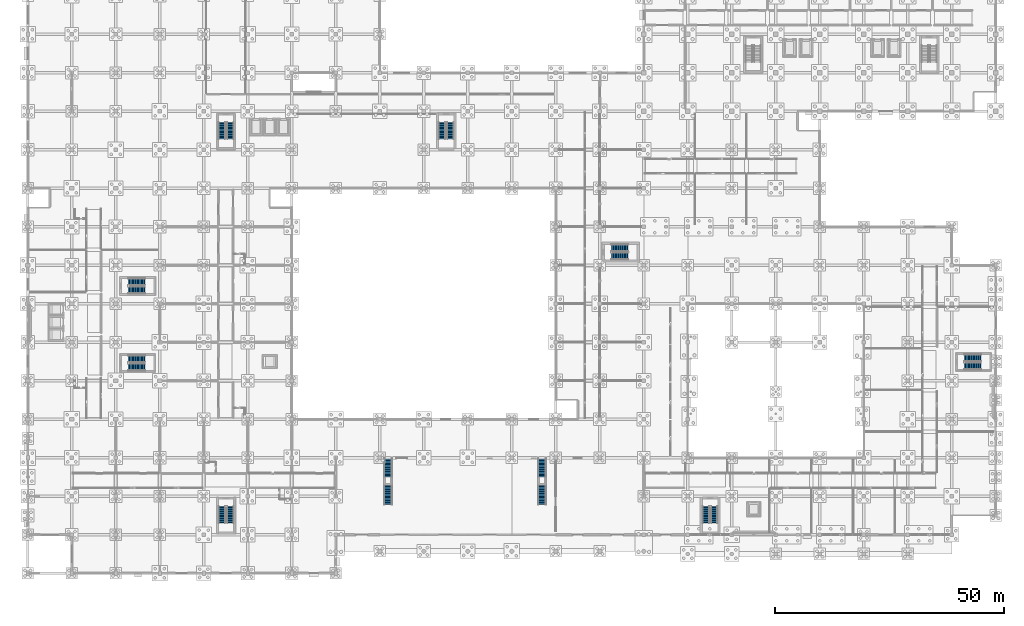
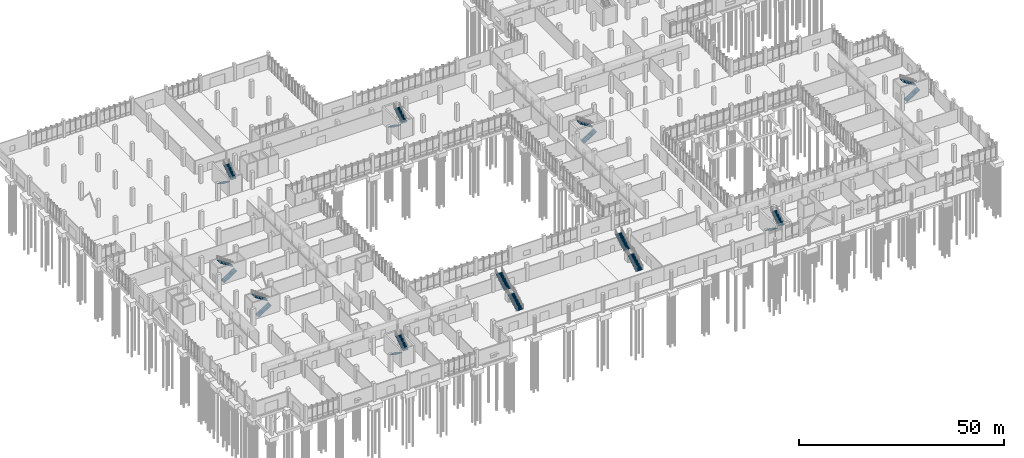
# One storey, part 120 of 136: 20 stair flights, 10 elements without a shape of their own.
"""IFC4 building model written with IfcOpenShell, lengths in metres."""

import ifcopenshell
import ifcopenshell.guid

model = None  # the IFC model being written
_history = None  # IfcOwnerHistory: only IFC2X3 demands one
_inside = {}  # id of a spatial element -> (the spatial element, [elements in it])
_under = {}  # id of a project, library or spatial element -> (it, [spatial elements below it])
_declared = {}  # id of a project -> (the project, [libraries it declares])
_typed = {}  # id of a type object -> (the type object, [elements of that type])
_made_of = {}  # id of a material, layer set ... -> (it, [elements and type objects made of it])


def new_model(schema):
    """Start an empty IFC model of exactly this schema.

    Asked for "IFC4X3", IfcOpenShell would pick the latest addendum, in which some entities
    have other attributes; the version numbers below select the first issue.
    IFC2X3 requires an IfcOwnerHistory on every rooted entity: one is made here for all.
    """
    global model, _history
    if schema == "IFC4X3":
        model = ifcopenshell.file(schema_version=(4, 3, 0, 0))
    else:
        model = ifcopenshell.file(schema=schema)
    _inside.clear()
    _under.clear()
    _declared.clear()
    _typed.clear()
    _made_of.clear()
    _history = None
    if model.schema == "IFC2X3":
        org = make("IfcOrganization", Name="unknown")
        user = make(
            "IfcPersonAndOrganization",
            ThePerson=make("IfcPerson", FamilyName="unknown"),
            TheOrganization=org,
        )
        app = make(
            "IfcApplication",
            ApplicationDeveloper=org,
            Version="unknown",
            ApplicationFullName="unknown",
            ApplicationIdentifier="unknown",
        )
        _history = make(
            "IfcOwnerHistory",
            OwningUser=user,
            OwningApplication=app,
            ChangeAction="ADDED",
            CreationDate=0,
        )
    return model


def make(cls, **values):
    """One entity of the class cls with the attributes given. An attribute that is None is left unset."""
    return model.create_entity(
        cls, **{name: value for name, value in values.items() if value is not None}
    )


def rooted(cls, **values):
    """An entity with a GlobalId (a new one), such as an element, a storey or a relation."""
    return make(cls, GlobalId=ifcopenshell.guid.new(), OwnerHistory=_history, **values)


def si_unit(unit_type, name, prefix=None):
    """IfcSIUnit, for example si_unit("LENGTHUNIT", "METRE", prefix="MILLI")."""
    return make("IfcSIUnit", UnitType=unit_type, Prefix=prefix, Name=name)


def assignment(units):
    """IfcUnitAssignment: the units of a project."""
    return None if units is None else make("IfcUnitAssignment", Units=units)


def point(xyz):
    """IfcCartesianPoint."""
    return None if xyz is None else make("IfcCartesianPoint", Coordinates=xyz)


def direction(xyz):
    """IfcDirection."""
    return None if xyz is None else make("IfcDirection", DirectionRatios=xyz)


def frame(location, z_axis=None, x_axis=None):
    """IfcAxis2Placement3D, a coordinate frame: its origin and axes. An axis left out is left unset."""
    return make(
        "IfcAxis2Placement3D",
        Location=point(location),
        Axis=direction(z_axis),
        RefDirection=direction(x_axis),
    )


def origin():
    """The frame at (0, 0, 0) with its axes left unset."""
    return frame((0.0, 0.0, 0.0))


def place(relative_to, where):
    """IfcLocalPlacement: puts the frame where relative to a parent placement (None: the world)."""
    return make(
        "IfcLocalPlacement", PlacementRelTo=relative_to, RelativePlacement=where
    )


def context(
    kind, dimensions, precision=None, world=None, true_north=None, identifier=None
):
    """IfcGeometricRepresentationContext, for example the 3D "Model" context."""
    return make(
        "IfcGeometricRepresentationContext",
        ContextIdentifier=identifier,
        ContextType=kind,
        CoordinateSpaceDimension=dimensions,
        Precision=precision,
        WorldCoordinateSystem=world,
        TrueNorth=true_north,
    )


def subcontext(parent, identifier, kind, view, scale=None):
    """IfcGeometricRepresentationSubContext, for example "Body" below "Model"."""
    return make(
        "IfcGeometricRepresentationSubContext",
        ContextIdentifier=identifier,
        ContextType=kind,
        ParentContext=parent,
        TargetScale=scale,
        TargetView=view,
    )


def project(units=None, contexts=None):
    """IfcProject with its units and contexts."""
    return rooted(
        "IfcProject",
        Name="project",
        RepresentationContexts=contexts,
        UnitsInContext=assignment(units),
    )


def spatial(cls, under=None, at=None, **own):
    """A site, building, storey or space (cls), placed at a placement, below another one or the project."""
    s = rooted(cls, ObjectPlacement=at, **own)
    if under is not None:
        _under.setdefault(under.id(), (under, []))[1].append(s)
    return s


def polyline(points):
    """IfcPolyline through the points."""
    return make("IfcPolyline", Points=[point(p) for p in points])


def outline(outer, holes=None, kind="AREA"):
    """IfcArbitraryClosedProfileDef: a profile drawn as a closed curve; with holes, ...WithVoids."""
    if holes is None:
        return make("IfcArbitraryClosedProfileDef", ProfileType=kind, OuterCurve=outer)
    return make(
        "IfcArbitraryProfileDefWithVoids",
        ProfileType=kind,
        OuterCurve=outer,
        InnerCurves=holes,
    )


def extrude(swept, where, along, depth):
    """IfcExtrudedAreaSolid: the profile swept, set in the frame where, extruded along a direction by depth."""
    return make(
        "IfcExtrudedAreaSolid",
        SweptArea=swept,
        Position=where,
        ExtrudedDirection=direction(along),
        Depth=depth,
    )


def shape(context_of_items, identifier, shape_type, items):
    """IfcShapeRepresentation: the items that make up one representation, for example the "Body"."""
    return make(
        "IfcShapeRepresentation",
        ContextOfItems=context_of_items,
        RepresentationIdentifier=identifier,
        RepresentationType=shape_type,
        Items=items,
    )


def material(Name=None, Category=None):
    """IfcMaterial."""
    return make("IfcMaterial", Name=Name, Category=Category)


def made_of(thing, what):
    """Note that an element or type object is made of a material, layer set ...; save() writes the relation."""
    if what is not None:
        _made_of.setdefault(what.id(), (what, []))[1].append(thing)
    return thing


def type_object(cls, material=None, **own):
    """A type object (cls), such as IfcWallType, which elements share."""
    return made_of(rooted(cls, **own), material)


def element(
    cls,
    number,
    at=None,
    inside=None,
    cuts=None,
    type_object=None,
    material=None,
    context=None,
    identifier="Body",
    shape_type=None,
    held_by="IfcProductDefinitionShape",
    body=None,
    shapes=None,
    **own,
):
    """One element of the class cls, such as IfcWall. Its Tag is "e" and its number.

    at: its placement. inside: the storey or other place that contains it. cuts: it is an
    opening in that element (IfcRelVoidsElement). A single representation is given by context,
    identifier, shape_type and body (its items); several are given by shapes. held_by: the class
    of the entity that holds the representations. save() writes the other relations.
    """
    e = rooted(cls, Tag="e%d" % number, ObjectPlacement=at, **own)
    if body is not None:
        shapes = [shape(context, identifier, shape_type, body)]
    if shapes is not None:
        e.Representation = make(held_by, Representations=shapes)
    if inside is not None:
        _inside.setdefault(inside.id(), (inside, []))[1].append(e)
    if cuts is not None:
        rooted(
            "IfcRelVoidsElement", RelatingBuildingElement=cuts, RelatedOpeningElement=e
        )
    if type_object is not None:
        _typed.setdefault(type_object.id(), (type_object, []))[1].append(e)
    return made_of(e, material)


def aggregate(whole, parts):
    """IfcRelAggregates: a whole, such as a stair, and the parts it consists of."""
    return rooted("IfcRelAggregates", RelatingObject=whole, RelatedObjects=parts)


def save(model, path):
    """Write the relations noted so far, then the file.

    IfcRelAggregates (storeys below a building ...), IfcRelContainedInSpatialStructure (elements
    in a storey), IfcRelDefinesByType, IfcRelAssociatesMaterial and IfcRelDeclares: one each for
    every whole, place, type object, material and project.
    """
    for whole, parts in _under.values():
        aggregate(whole, parts)
    for where, things in _inside.values():
        rooted(
            "IfcRelContainedInSpatialStructure",
            RelatedElements=things,
            RelatingStructure=where,
        )
    for kind, things in _typed.values():
        rooted("IfcRelDefinesByType", RelatedObjects=things, RelatingType=kind)
    for what, things in _made_of.values():
        rooted("IfcRelAssociatesMaterial", RelatedObjects=things, RelatingMaterial=what)
    for by, libraries in _declared.values():
        rooted("IfcRelDeclares", RelatingContext=by, RelatedDefinitions=libraries)
    model.write(path)


model = new_model("IFC4")

# Units and contexts
model_context = context("Model", 3, precision=1e-05, world=origin(), true_north=direction((0.0, 1.0)))
body_context = subcontext(model_context, "Body", "Model", "MODEL_VIEW")
ifc_project = project(units=[si_unit("LENGTHUNIT", "METRE"), si_unit("AREAUNIT", "SQUARE_METRE"), si_unit("VOLUMEUNIT", "CUBIC_METRE"), si_unit("PLANEANGLEUNIT", "RADIAN"), si_unit("MASSUNIT", "GRAM", prefix="KILO")], contexts=[model_context])

# Site, building, storey
site_placement = place(None, origin())
site = spatial("IfcSite", under=ifc_project, at=site_placement, CompositionType="ELEMENT")
building_placement = place(site_placement, origin())
building = spatial("IfcBuilding", under=site, at=building_placement, Name="Oolite Switchyard Hospital", CompositionType="ELEMENT")
storey_placement = place(building_placement, origin())
storey = spatial("IfcBuildingStorey", under=building, at=storey_placement, Name="L00", CompositionType="ELEMENT", Elevation=0.0)

# Stair, stair flights
ifc_material = material(Name="Concrete C40/50", Category="concrete")
stair_type_1 = type_object("IfcStairType", Name="STR-DL-156-R28", PredefinedType="HALF_TURN_STAIR", material=ifc_material)
stair_1_placement = place(storey_placement, origin())
stair_1 = element("IfcStair", 1, at=stair_1_placement, inside=storey, type_object=stair_type_1, Name="L00 Exit Stair ST-01", PredefinedType="HALF_TURN_STAIR")
stair_flight_type_1 = type_object("IfcStairFlightType", Name="FLT-DL-156-R14", PredefinedType="STRAIGHT", material=ifc_material)
stair_flight_1_placement = place(storey_placement, frame((21.9599609375, 44.97998046875, 0.0), z_axis=(0.0, 0.0, 1.0), x_axis=(1.0, 0.0, 0.0)))
stair_flight_1 = element("IfcStairFlight", 2, at=stair_flight_1_placement, type_object=stair_flight_type_1, Name="ST-01 flight 1", NumberOfRisers=14, NumberOfTreads=13, PredefinedType="STRAIGHT", RiserHeight=0.182142857, TreadLength=0.28, context=body_context, shape_type="SweptSolid", body=[
    extrude(outline(polyline([(0.0, 0.0), (0.0, 0.18212890625), (0.280029296875, 0.18212890625), (0.280029296875, 0.3642578125), (0.56005859375, 0.3642578125), (0.56005859375, 0.54638671875), (0.840087890625, 0.54638671875), (0.840087890625, 0.728515625), (1.1201171875, 0.728515625), (1.1201171875, 0.91064453125), (1.39990234375, 0.91064453125), (1.39990234375, 1.0927734375), (1.679931640625, 1.0927734375), (1.679931640625, 1.27490234375), (1.9599609375, 1.27490234375), (1.9599609375, 1.45703125), (2.239990234375, 1.45703125), (2.239990234375, 1.639404296875), (2.52001953125, 1.639404296875), (2.52001953125, 1.821533203125), (2.800048828125, 1.821533203125), (2.800048828125, 2.003662109375), (3.080078125, 2.003662109375), (3.080078125, 2.185791015625), (3.360107421875, 2.185791015625), (3.360107421875, 2.367919921875), (3.639892578125, 2.367919921875), (3.639892578125, 2.550048828125), (3.639892578125, 2.18896484375), (0.27490234375, 0.0), (0.0, 0.0)])), frame((0.0, 0.780029296875, 0.0), z_axis=(0.0, -1.0, 0.0), x_axis=(1.0, 0.0, 0.0)), (0.0, 0.0, 1.0), 1.56005859375),
])
stair_flight_2_placement = place(storey_placement, frame((25.60009765625, 46.780029296875, 2.550048828125), z_axis=(0.0, 0.0, 1.0), x_axis=(-1.0, 0.0, 0.0)))
stair_flight_2 = element("IfcStairFlight", 3, at=stair_flight_2_placement, type_object=stair_flight_type_1, Name="ST-01 flight 2", NumberOfRisers=14, NumberOfTreads=13, PredefinedType="STRAIGHT", RiserHeight=0.182142857, TreadLength=0.28, context=body_context, shape_type="SweptSolid", body=[
    extrude(outline(polyline([(0.0, 0.0), (0.0, 0.18212890625), (0.280029296875, 0.18212890625), (0.280029296875, 0.3642578125), (0.56005859375, 0.3642578125), (0.56005859375, 0.54638671875), (0.840087890625, 0.54638671875), (0.840087890625, 0.728515625), (1.1201171875, 0.728515625), (1.1201171875, 0.91064453125), (1.39990234375, 0.91064453125), (1.39990234375, 1.0927734375), (1.679931640625, 1.0927734375), (1.679931640625, 1.27490234375), (1.9599609375, 1.27490234375), (1.9599609375, 1.45703125), (2.239990234375, 1.45703125), (2.239990234375, 1.639404296875), (2.52001953125, 1.639404296875), (2.52001953125, 1.821533203125), (2.800048828125, 1.821533203125), (2.800048828125, 2.003662109375), (3.080078125, 2.003662109375), (3.080078125, 2.185791015625), (3.360107421875, 2.185791015625), (3.360107421875, 2.367919921875), (3.639892578125, 2.367919921875), (3.639892578125, 2.550048828125), (3.639892578125, 2.18896484375), (0.27490234375, 0.0), (0.0, 0.0)])), frame((0.0, 0.780029296875, 0.0), z_axis=(0.0, -1.0, 0.0), x_axis=(1.0, 0.0, 0.0)), (0.0, 0.0, 1.0), 1.56005859375),
])
aggregate(stair_1, [stair_flight_1, stair_flight_2])

stair_2_placement = place(storey_placement, origin())
stair_2 = element("IfcStair", 4, at=stair_2_placement, inside=storey, type_object=stair_type_1, Name="L00 Exit Stair ST-02", PredefinedType="HALF_TURN_STAIR")
stair_flight_3_placement = place(storey_placement, frame((21.9599609375, 61.780029296875, 0.0), z_axis=(0.0, 0.0, 1.0), x_axis=(1.0, 0.0, 0.0)))
stair_flight_3 = element("IfcStairFlight", 5, at=stair_flight_3_placement, type_object=stair_flight_type_1, Name="ST-02 flight 1", NumberOfRisers=14, NumberOfTreads=13, PredefinedType="STRAIGHT", RiserHeight=0.182142857, TreadLength=0.28, context=body_context, shape_type="SweptSolid", body=[
    extrude(outline(polyline([(0.0, 0.0), (0.0, 0.18212890625), (0.280029296875, 0.18212890625), (0.280029296875, 0.3642578125), (0.56005859375, 0.3642578125), (0.56005859375, 0.54638671875), (0.840087890625, 0.54638671875), (0.840087890625, 0.728515625), (1.1201171875, 0.728515625), (1.1201171875, 0.91064453125), (1.39990234375, 0.91064453125), (1.39990234375, 1.0927734375), (1.679931640625, 1.0927734375), (1.679931640625, 1.27490234375), (1.9599609375, 1.27490234375), (1.9599609375, 1.45703125), (2.239990234375, 1.45703125), (2.239990234375, 1.639404296875), (2.52001953125, 1.639404296875), (2.52001953125, 1.821533203125), (2.800048828125, 1.821533203125), (2.800048828125, 2.003662109375), (3.080078125, 2.003662109375), (3.080078125, 2.185791015625), (3.360107421875, 2.185791015625), (3.360107421875, 2.367919921875), (3.639892578125, 2.367919921875), (3.639892578125, 2.550048828125), (3.639892578125, 2.18896484375), (0.27490234375, 0.0), (0.0, 0.0)])), frame((0.0, 0.780029296875, 0.0), z_axis=(0.0, -1.0, 0.0), x_axis=(1.0, 0.0, 0.0)), (0.0, 0.0, 1.0), 1.56005859375),
])
stair_flight_4_placement = place(storey_placement, frame((25.60009765625, 63.580078125, 2.550048828125), z_axis=(0.0, 0.0, 1.0), x_axis=(-1.0, 0.0, 0.0)))
stair_flight_4 = element("IfcStairFlight", 6, at=stair_flight_4_placement, type_object=stair_flight_type_1, Name="ST-02 flight 2", NumberOfRisers=14, NumberOfTreads=13, PredefinedType="STRAIGHT", RiserHeight=0.182142857, TreadLength=0.28, context=body_context, shape_type="SweptSolid", body=[
    extrude(outline(polyline([(0.0, 0.0), (0.0, 0.18212890625), (0.280029296875, 0.18212890625), (0.280029296875, 0.3642578125), (0.56005859375, 0.3642578125), (0.56005859375, 0.54638671875), (0.840087890625, 0.54638671875), (0.840087890625, 0.728515625), (1.1201171875, 0.728515625), (1.1201171875, 0.91064453125), (1.39990234375, 0.91064453125), (1.39990234375, 1.0927734375), (1.679931640625, 1.0927734375), (1.679931640625, 1.27490234375), (1.9599609375, 1.27490234375), (1.9599609375, 1.45703125), (2.239990234375, 1.45703125), (2.239990234375, 1.639404296875), (2.52001953125, 1.639404296875), (2.52001953125, 1.821533203125), (2.800048828125, 1.821533203125), (2.800048828125, 2.003662109375), (3.080078125, 2.003662109375), (3.080078125, 2.185791015625), (3.360107421875, 2.185791015625), (3.360107421875, 2.367919921875), (3.639892578125, 2.367919921875), (3.639892578125, 2.550048828125), (3.639892578125, 2.18896484375), (0.27490234375, 0.0), (0.0, 0.0)])), frame((0.0, 0.780029296875, 0.0), z_axis=(0.0, -1.0, 0.0), x_axis=(1.0, 0.0, 0.0)), (0.0, 0.0, 1.0), 1.56005859375),
])
aggregate(stair_2, [stair_flight_3, stair_flight_4])

stair_3_placement = place(storey_placement, origin())
stair_3 = element("IfcStair", 7, at=stair_3_placement, inside=storey, type_object=stair_type_1, Name="L00 Exit Stair ST-05", PredefinedType="HALF_TURN_STAIR")
stair_flight_5_placement = place(storey_placement, frame((147.97998046875, 14.590087890625, 0.0), z_axis=(0.0, 0.0, 1.0), x_axis=(0.0, -1.0, 0.0)))
stair_flight_5 = element("IfcStairFlight", 8, at=stair_flight_5_placement, type_object=stair_flight_type_1, Name="ST-05 flight 1", NumberOfRisers=14, NumberOfTreads=13, PredefinedType="STRAIGHT", RiserHeight=0.182142857, TreadLength=0.28, context=body_context, shape_type="SweptSolid", body=[
    extrude(outline(polyline([(0.0, 0.0), (0.0, 0.18212890625), (0.280029296875, 0.18212890625), (0.280029296875, 0.3642578125), (0.56005859375, 0.3642578125), (0.56005859375, 0.54638671875), (0.840087890625, 0.54638671875), (0.840087890625, 0.728515625), (1.1201171875, 0.728515625), (1.1201171875, 0.91064453125), (1.39990234375, 0.91064453125), (1.39990234375, 1.0927734375), (1.679931640625, 1.0927734375), (1.679931640625, 1.27490234375), (1.9599609375, 1.27490234375), (1.9599609375, 1.45703125), (2.239990234375, 1.45703125), (2.239990234375, 1.639404296875), (2.52001953125, 1.639404296875), (2.52001953125, 1.821533203125), (2.800048828125, 1.821533203125), (2.800048828125, 2.003662109375), (3.080078125, 2.003662109375), (3.080078125, 2.185791015625), (3.360107421875, 2.185791015625), (3.360107421875, 2.367919921875), (3.639892578125, 2.367919921875), (3.639892578125, 2.550048828125), (3.639892578125, 2.18896484375), (0.27490234375, 0.0), (0.0, 0.0)])), frame((0.0, 0.780029296875, 0.0), z_axis=(0.0, -1.0, 0.0), x_axis=(1.0, 0.0, 0.0)), (0.0, 0.0, 1.0), 1.56005859375),
])
stair_flight_6_placement = place(storey_placement, frame((149.780029296875, 10.949951171875, 2.550048828125), z_axis=(0.0, 0.0, 1.0), x_axis=(0.0, 1.0, 0.0)))
stair_flight_6 = element("IfcStairFlight", 9, at=stair_flight_6_placement, type_object=stair_flight_type_1, Name="ST-05 flight 2", NumberOfRisers=14, NumberOfTreads=13, PredefinedType="STRAIGHT", RiserHeight=0.182142857, TreadLength=0.28, context=body_context, shape_type="SweptSolid", body=[
    extrude(outline(polyline([(0.0, 0.0), (0.0, 0.18212890625), (0.280029296875, 0.18212890625), (0.280029296875, 0.3642578125), (0.56005859375, 0.3642578125), (0.56005859375, 0.54638671875), (0.840087890625, 0.54638671875), (0.840087890625, 0.728515625), (1.1201171875, 0.728515625), (1.1201171875, 0.91064453125), (1.39990234375, 0.91064453125), (1.39990234375, 1.0927734375), (1.679931640625, 1.0927734375), (1.679931640625, 1.27490234375), (1.9599609375, 1.27490234375), (1.9599609375, 1.45703125), (2.239990234375, 1.45703125), (2.239990234375, 1.639404296875), (2.52001953125, 1.639404296875), (2.52001953125, 1.821533203125), (2.800048828125, 1.821533203125), (2.800048828125, 2.003662109375), (3.080078125, 2.003662109375), (3.080078125, 2.185791015625), (3.360107421875, 2.185791015625), (3.360107421875, 2.367919921875), (3.639892578125, 2.367919921875), (3.639892578125, 2.550048828125), (3.639892578125, 2.18896484375), (0.27490234375, 0.0), (0.0, 0.0)])), frame((0.0, 0.780029296875, 0.0), z_axis=(0.0, -1.0, 0.0), x_axis=(1.0, 0.0, 0.0)), (0.0, 0.0, 1.0), 1.56005859375),
])
aggregate(stair_3, [stair_flight_5, stair_flight_6])

stair_4_placement = place(storey_placement, origin())
stair_4 = element("IfcStair", 10, at=stair_4_placement, inside=storey, type_object=stair_type_1, Name="L00 Exit Stair ST-06", PredefinedType="HALF_TURN_STAIR")
stair_flight_7_placement = place(storey_placement, frame((204.360107421875, 45.179931640625, 0.0), z_axis=(0.0, 0.0, 1.0), x_axis=(1.0, 0.0, 0.0)))
stair_flight_7 = element("IfcStairFlight", 11, at=stair_flight_7_placement, type_object=stair_flight_type_1, Name="ST-06 flight 1", NumberOfRisers=14, NumberOfTreads=13, PredefinedType="STRAIGHT", RiserHeight=0.182142857, TreadLength=0.28, context=body_context, shape_type="SweptSolid", body=[
    extrude(outline(polyline([(0.0, 0.0), (0.0, 0.18212890625), (0.280029296875, 0.18212890625), (0.280029296875, 0.3642578125), (0.56005859375, 0.3642578125), (0.56005859375, 0.54638671875), (0.840087890625, 0.54638671875), (0.840087890625, 0.728515625), (1.1201171875, 0.728515625), (1.1201171875, 0.91064453125), (1.39990234375, 0.91064453125), (1.39990234375, 1.0927734375), (1.679931640625, 1.0927734375), (1.679931640625, 1.27490234375), (1.9599609375, 1.27490234375), (1.9599609375, 1.45703125), (2.239990234375, 1.45703125), (2.239990234375, 1.639404296875), (2.52001953125, 1.639404296875), (2.52001953125, 1.821533203125), (2.800048828125, 1.821533203125), (2.800048828125, 2.003662109375), (3.080078125, 2.003662109375), (3.080078125, 2.185791015625), (3.360107421875, 2.185791015625), (3.360107421875, 2.367919921875), (3.639892578125, 2.367919921875), (3.639892578125, 2.550048828125), (3.639892578125, 2.18896484375), (0.27490234375, 0.0), (0.0, 0.0)])), frame((0.0, 0.780029296875, 0.0), z_axis=(0.0, -1.0, 0.0), x_axis=(1.0, 0.0, 0.0)), (0.0, 0.0, 1.0), 1.56005859375),
])
stair_flight_8_placement = place(storey_placement, frame((208.0, 46.97998046875, 2.550048828125), z_axis=(0.0, 0.0, 1.0), x_axis=(-1.0, 0.0, 0.0)))
stair_flight_8 = element("IfcStairFlight", 12, at=stair_flight_8_placement, type_object=stair_flight_type_1, Name="ST-06 flight 2", NumberOfRisers=14, NumberOfTreads=13, PredefinedType="STRAIGHT", RiserHeight=0.182142857, TreadLength=0.28, context=body_context, shape_type="SweptSolid", body=[
    extrude(outline(polyline([(0.0, 0.0), (0.0, 0.18212890625), (0.280029296875, 0.18212890625), (0.280029296875, 0.3642578125), (0.56005859375, 0.3642578125), (0.56005859375, 0.54638671875), (0.840087890625, 0.54638671875), (0.840087890625, 0.728515625), (1.1201171875, 0.728515625), (1.1201171875, 0.91064453125), (1.39990234375, 0.91064453125), (1.39990234375, 1.0927734375), (1.679931640625, 1.0927734375), (1.679931640625, 1.27490234375), (1.9599609375, 1.27490234375), (1.9599609375, 1.45703125), (2.239990234375, 1.45703125), (2.239990234375, 1.639404296875), (2.52001953125, 1.639404296875), (2.52001953125, 1.821533203125), (2.800048828125, 1.821533203125), (2.800048828125, 2.003662109375), (3.080078125, 2.003662109375), (3.080078125, 2.185791015625), (3.360107421875, 2.185791015625), (3.360107421875, 2.367919921875), (3.639892578125, 2.367919921875), (3.639892578125, 2.550048828125), (3.639892578125, 2.18896484375), (0.27490234375, 0.0), (0.0, 0.0)])), frame((0.0, 0.780029296875, 0.0), z_axis=(0.0, -1.0, 0.0), x_axis=(1.0, 0.0, 0.0)), (0.0, 0.0, 1.0), 1.56005859375),
])
aggregate(stair_4, [stair_flight_7, stair_flight_8])

stair_5_placement = place(storey_placement, origin())
stair_5 = element("IfcStair", 13, at=stair_5_placement, inside=storey, type_object=stair_type_1, Name="L00 Exit Stair ST-07", PredefinedType="HALF_TURN_STAIR")
stair_flight_9_placement = place(storey_placement, frame((42.3798828125, 98.389892578125, 0.0), z_axis=(0.0, 0.0, 1.0), x_axis=(0.0, -1.0, 0.0)))
stair_flight_9 = element("IfcStairFlight", 14, at=stair_flight_9_placement, type_object=stair_flight_type_1, Name="ST-07 flight 1", NumberOfRisers=14, NumberOfTreads=13, PredefinedType="STRAIGHT", RiserHeight=0.182142857, TreadLength=0.28, context=body_context, shape_type="SweptSolid", body=[
    extrude(outline(polyline([(0.0, 0.0), (0.0, 0.18212890625), (0.280029296875, 0.18212890625), (0.280029296875, 0.3642578125), (0.56005859375, 0.3642578125), (0.56005859375, 0.54638671875), (0.840087890625, 0.54638671875), (0.840087890625, 0.728515625), (1.1201171875, 0.728515625), (1.1201171875, 0.91064453125), (1.39990234375, 0.91064453125), (1.39990234375, 1.0927734375), (1.679931640625, 1.0927734375), (1.679931640625, 1.27490234375), (1.9599609375, 1.27490234375), (1.9599609375, 1.45703125), (2.239990234375, 1.45703125), (2.239990234375, 1.639404296875), (2.52001953125, 1.639404296875), (2.52001953125, 1.821533203125), (2.800048828125, 1.821533203125), (2.800048828125, 2.003662109375), (3.080078125, 2.003662109375), (3.080078125, 2.185791015625), (3.360107421875, 2.185791015625), (3.360107421875, 2.367919921875), (3.639892578125, 2.367919921875), (3.639892578125, 2.550048828125), (3.639892578125, 2.18896484375), (0.27490234375, 0.0), (0.0, 0.0)])), frame((0.0, 0.780029296875, 0.0), z_axis=(0.0, -1.0, 0.0), x_axis=(1.0, 0.0, 0.0)), (0.0, 0.0, 1.0), 1.56005859375),
])
stair_flight_10_placement = place(storey_placement, frame((44.179931640625, 94.75, 2.550048828125), z_axis=(0.0, 0.0, 1.0), x_axis=(0.0, 1.0, 0.0)))
stair_flight_10 = element("IfcStairFlight", 15, at=stair_flight_10_placement, type_object=stair_flight_type_1, Name="ST-07 flight 2", NumberOfRisers=14, NumberOfTreads=13, PredefinedType="STRAIGHT", RiserHeight=0.182142857, TreadLength=0.28, context=body_context, shape_type="SweptSolid", body=[
    extrude(outline(polyline([(0.0, 0.0), (0.0, 0.18212890625), (0.280029296875, 0.18212890625), (0.280029296875, 0.3642578125), (0.56005859375, 0.3642578125), (0.56005859375, 0.54638671875), (0.840087890625, 0.54638671875), (0.840087890625, 0.728515625), (1.1201171875, 0.728515625), (1.1201171875, 0.91064453125), (1.39990234375, 0.91064453125), (1.39990234375, 1.0927734375), (1.679931640625, 1.0927734375), (1.679931640625, 1.27490234375), (1.9599609375, 1.27490234375), (1.9599609375, 1.45703125), (2.239990234375, 1.45703125), (2.239990234375, 1.639404296875), (2.52001953125, 1.639404296875), (2.52001953125, 1.821533203125), (2.800048828125, 1.821533203125), (2.800048828125, 2.003662109375), (3.080078125, 2.003662109375), (3.080078125, 2.185791015625), (3.360107421875, 2.185791015625), (3.360107421875, 2.367919921875), (3.639892578125, 2.367919921875), (3.639892578125, 2.550048828125), (3.639892578125, 2.18896484375), (0.27490234375, 0.0), (0.0, 0.0)])), frame((0.0, 0.780029296875, 0.0), z_axis=(0.0, -1.0, 0.0), x_axis=(1.0, 0.0, 0.0)), (0.0, 0.0, 1.0), 1.56005859375),
])
aggregate(stair_5, [stair_flight_9, stair_flight_10])

stair_6_placement = place(storey_placement, origin())
stair_6 = element("IfcStair", 16, at=stair_6_placement, inside=storey, type_object=stair_type_1, Name="L00 Exit Stair ST-08", PredefinedType="HALF_TURN_STAIR")
stair_flight_11_placement = place(storey_placement, frame((42.3798828125, 14.590087890625, 0.0), z_axis=(0.0, 0.0, 1.0), x_axis=(0.0, -1.0, 0.0)))
stair_flight_11 = element("IfcStairFlight", 17, at=stair_flight_11_placement, type_object=stair_flight_type_1, Name="ST-08 flight 1", NumberOfRisers=14, NumberOfTreads=13, PredefinedType="STRAIGHT", RiserHeight=0.182142857, TreadLength=0.28, context=body_context, shape_type="SweptSolid", body=[
    extrude(outline(polyline([(0.0, 0.0), (0.0, 0.18212890625), (0.280029296875, 0.18212890625), (0.280029296875, 0.3642578125), (0.56005859375, 0.3642578125), (0.56005859375, 0.54638671875), (0.840087890625, 0.54638671875), (0.840087890625, 0.728515625), (1.1201171875, 0.728515625), (1.1201171875, 0.91064453125), (1.39990234375, 0.91064453125), (1.39990234375, 1.0927734375), (1.679931640625, 1.0927734375), (1.679931640625, 1.27490234375), (1.9599609375, 1.27490234375), (1.9599609375, 1.45703125), (2.239990234375, 1.45703125), (2.239990234375, 1.639404296875), (2.52001953125, 1.639404296875), (2.52001953125, 1.821533203125), (2.800048828125, 1.821533203125), (2.800048828125, 2.003662109375), (3.080078125, 2.003662109375), (3.080078125, 2.185791015625), (3.360107421875, 2.185791015625), (3.360107421875, 2.367919921875), (3.639892578125, 2.367919921875), (3.639892578125, 2.550048828125), (3.639892578125, 2.18896484375), (0.27490234375, 0.0), (0.0, 0.0)])), frame((0.0, 0.780029296875, 0.0), z_axis=(0.0, -1.0, 0.0), x_axis=(1.0, 0.0, 0.0)), (0.0, 0.0, 1.0), 1.56005859375),
])
stair_flight_12_placement = place(storey_placement, frame((44.179931640625, 10.949951171875, 2.550048828125), z_axis=(0.0, 0.0, 1.0), x_axis=(0.0, 1.0, 0.0)))
stair_flight_12 = element("IfcStairFlight", 18, at=stair_flight_12_placement, type_object=stair_flight_type_1, Name="ST-08 flight 2", NumberOfRisers=14, NumberOfTreads=13, PredefinedType="STRAIGHT", RiserHeight=0.182142857, TreadLength=0.28, context=body_context, shape_type="SweptSolid", body=[
    extrude(outline(polyline([(0.0, 0.0), (0.0, 0.18212890625), (0.280029296875, 0.18212890625), (0.280029296875, 0.3642578125), (0.56005859375, 0.3642578125), (0.56005859375, 0.54638671875), (0.840087890625, 0.54638671875), (0.840087890625, 0.728515625), (1.1201171875, 0.728515625), (1.1201171875, 0.91064453125), (1.39990234375, 0.91064453125), (1.39990234375, 1.0927734375), (1.679931640625, 1.0927734375), (1.679931640625, 1.27490234375), (1.9599609375, 1.27490234375), (1.9599609375, 1.45703125), (2.239990234375, 1.45703125), (2.239990234375, 1.639404296875), (2.52001953125, 1.639404296875), (2.52001953125, 1.821533203125), (2.800048828125, 1.821533203125), (2.800048828125, 2.003662109375), (3.080078125, 2.003662109375), (3.080078125, 2.185791015625), (3.360107421875, 2.185791015625), (3.360107421875, 2.367919921875), (3.639892578125, 2.367919921875), (3.639892578125, 2.550048828125), (3.639892578125, 2.18896484375), (0.27490234375, 0.0), (0.0, 0.0)])), frame((0.0, 0.780029296875, 0.0), z_axis=(0.0, -1.0, 0.0), x_axis=(1.0, 0.0, 0.0)), (0.0, 0.0, 1.0), 1.56005859375),
])
aggregate(stair_6, [stair_flight_11, stair_flight_12])

stair_7_placement = place(storey_placement, origin())
stair_7 = element("IfcStair", 19, at=stair_7_placement, inside=storey, type_object=stair_type_1, Name="L00 Exit Stair ST-09", PredefinedType="HALF_TURN_STAIR")
stair_flight_13_placement = place(storey_placement, frame((90.3798828125, 98.389892578125, 0.0), z_axis=(0.0, 0.0, 1.0), x_axis=(0.0, -1.0, 0.0)))
stair_flight_13 = element("IfcStairFlight", 20, at=stair_flight_13_placement, type_object=stair_flight_type_1, Name="ST-09 flight 1", NumberOfRisers=14, NumberOfTreads=13, PredefinedType="STRAIGHT", RiserHeight=0.182142857, TreadLength=0.28, context=body_context, shape_type="SweptSolid", body=[
    extrude(outline(polyline([(0.0, 0.0), (0.0, 0.18212890625), (0.280029296875, 0.18212890625), (0.280029296875, 0.3642578125), (0.56005859375, 0.3642578125), (0.56005859375, 0.54638671875), (0.840087890625, 0.54638671875), (0.840087890625, 0.728515625), (1.1201171875, 0.728515625), (1.1201171875, 0.91064453125), (1.39990234375, 0.91064453125), (1.39990234375, 1.0927734375), (1.679931640625, 1.0927734375), (1.679931640625, 1.27490234375), (1.9599609375, 1.27490234375), (1.9599609375, 1.45703125), (2.239990234375, 1.45703125), (2.239990234375, 1.639404296875), (2.52001953125, 1.639404296875), (2.52001953125, 1.821533203125), (2.800048828125, 1.821533203125), (2.800048828125, 2.003662109375), (3.080078125, 2.003662109375), (3.080078125, 2.185791015625), (3.360107421875, 2.185791015625), (3.360107421875, 2.367919921875), (3.639892578125, 2.367919921875), (3.639892578125, 2.550048828125), (3.639892578125, 2.18896484375), (0.27490234375, 0.0), (0.0, 0.0)])), frame((0.0, 0.780029296875, 0.0), z_axis=(0.0, -1.0, 0.0), x_axis=(1.0, 0.0, 0.0)), (0.0, 0.0, 1.0), 1.56005859375),
])
stair_flight_14_placement = place(storey_placement, frame((92.179931640625, 94.75, 2.550048828125), z_axis=(0.0, 0.0, 1.0), x_axis=(0.0, 1.0, 0.0)))
stair_flight_14 = element("IfcStairFlight", 21, at=stair_flight_14_placement, type_object=stair_flight_type_1, Name="ST-09 flight 2", NumberOfRisers=14, NumberOfTreads=13, PredefinedType="STRAIGHT", RiserHeight=0.182142857, TreadLength=0.28, context=body_context, shape_type="SweptSolid", body=[
    extrude(outline(polyline([(0.0, 0.0), (0.0, 0.18212890625), (0.280029296875, 0.18212890625), (0.280029296875, 0.3642578125), (0.56005859375, 0.3642578125), (0.56005859375, 0.54638671875), (0.840087890625, 0.54638671875), (0.840087890625, 0.728515625), (1.1201171875, 0.728515625), (1.1201171875, 0.91064453125), (1.39990234375, 0.91064453125), (1.39990234375, 1.0927734375), (1.679931640625, 1.0927734375), (1.679931640625, 1.27490234375), (1.9599609375, 1.27490234375), (1.9599609375, 1.45703125), (2.239990234375, 1.45703125), (2.239990234375, 1.639404296875), (2.52001953125, 1.639404296875), (2.52001953125, 1.821533203125), (2.800048828125, 1.821533203125), (2.800048828125, 2.003662109375), (3.080078125, 2.003662109375), (3.080078125, 2.185791015625), (3.360107421875, 2.185791015625), (3.360107421875, 2.367919921875), (3.639892578125, 2.367919921875), (3.639892578125, 2.550048828125), (3.639892578125, 2.18896484375), (0.27490234375, 0.0), (0.0, 0.0)])), frame((0.0, 0.780029296875, 0.0), z_axis=(0.0, -1.0, 0.0), x_axis=(1.0, 0.0, 0.0)), (0.0, 0.0, 1.0), 1.56005859375),
])
aggregate(stair_7, [stair_flight_13, stair_flight_14])

stair_8_placement = place(storey_placement, origin())
stair_8 = element("IfcStair", 22, at=stair_8_placement, inside=storey, type_object=stair_type_1, Name="L00 Exit Stair ST-10", PredefinedType="HALF_TURN_STAIR")
stair_flight_15_placement = place(storey_placement, frame((127.360107421875, 69.179931640625, 0.0), z_axis=(0.0, 0.0, 1.0), x_axis=(1.0, 0.0, 0.0)))
stair_flight_15 = element("IfcStairFlight", 23, at=stair_flight_15_placement, type_object=stair_flight_type_1, Name="ST-10 flight 1", NumberOfRisers=14, NumberOfTreads=13, PredefinedType="STRAIGHT", RiserHeight=0.182142857, TreadLength=0.28, context=body_context, shape_type="SweptSolid", body=[
    extrude(outline(polyline([(0.0, 0.0), (0.0, 0.18212890625), (0.280029296875, 0.18212890625), (0.280029296875, 0.3642578125), (0.56005859375, 0.3642578125), (0.56005859375, 0.54638671875), (0.840087890625, 0.54638671875), (0.840087890625, 0.728515625), (1.1201171875, 0.728515625), (1.1201171875, 0.91064453125), (1.39990234375, 0.91064453125), (1.39990234375, 1.0927734375), (1.679931640625, 1.0927734375), (1.679931640625, 1.27490234375), (1.9599609375, 1.27490234375), (1.9599609375, 1.45703125), (2.239990234375, 1.45703125), (2.239990234375, 1.639404296875), (2.52001953125, 1.639404296875), (2.52001953125, 1.821533203125), (2.800048828125, 1.821533203125), (2.800048828125, 2.003662109375), (3.080078125, 2.003662109375), (3.080078125, 2.185791015625), (3.360107421875, 2.185791015625), (3.360107421875, 2.367919921875), (3.639892578125, 2.367919921875), (3.639892578125, 2.550048828125), (3.639892578125, 2.18896484375), (0.27490234375, 0.0), (0.0, 0.0)])), frame((0.0, 0.780029296875, 0.0), z_axis=(0.0, -1.0, 0.0), x_axis=(1.0, 0.0, 0.0)), (0.0, 0.0, 1.0), 1.56005859375),
])
stair_flight_16_placement = place(storey_placement, frame((131.0, 70.97998046875, 2.550048828125), z_axis=(0.0, 0.0, 1.0), x_axis=(-1.0, 0.0, 0.0)))
stair_flight_16 = element("IfcStairFlight", 24, at=stair_flight_16_placement, type_object=stair_flight_type_1, Name="ST-10 flight 2", NumberOfRisers=14, NumberOfTreads=13, PredefinedType="STRAIGHT", RiserHeight=0.182142857, TreadLength=0.28, context=body_context, shape_type="SweptSolid", body=[
    extrude(outline(polyline([(0.0, 0.0), (0.0, 0.18212890625), (0.280029296875, 0.18212890625), (0.280029296875, 0.3642578125), (0.56005859375, 0.3642578125), (0.56005859375, 0.54638671875), (0.840087890625, 0.54638671875), (0.840087890625, 0.728515625), (1.1201171875, 0.728515625), (1.1201171875, 0.91064453125), (1.39990234375, 0.91064453125), (1.39990234375, 1.0927734375), (1.679931640625, 1.0927734375), (1.679931640625, 1.27490234375), (1.9599609375, 1.27490234375), (1.9599609375, 1.45703125), (2.239990234375, 1.45703125), (2.239990234375, 1.639404296875), (2.52001953125, 1.639404296875), (2.52001953125, 1.821533203125), (2.800048828125, 1.821533203125), (2.800048828125, 2.003662109375), (3.080078125, 2.003662109375), (3.080078125, 2.185791015625), (3.360107421875, 2.185791015625), (3.360107421875, 2.367919921875), (3.639892578125, 2.367919921875), (3.639892578125, 2.550048828125), (3.639892578125, 2.18896484375), (0.27490234375, 0.0), (0.0, 0.0)])), frame((0.0, 0.780029296875, 0.0), z_axis=(0.0, -1.0, 0.0), x_axis=(1.0, 0.0, 0.0)), (0.0, 0.0, 1.0), 1.56005859375),
])
aggregate(stair_8, [stair_flight_15, stair_flight_16])

stair_type_2 = type_object("IfcStairType", Name="STR-MON-180-R30", PredefinedType="STRAIGHT_RUN_STAIR", material=ifc_material)
stair_9_placement = place(storey_placement, origin())
stair_9 = element("IfcStair", 25, at=stair_9_placement, inside=storey, type_object=stair_type_2, Name="L00 Monumental Arrival Stair ST-M01", PredefinedType="STRAIGHT_RUN_STAIR")
stair_flight_type_2 = type_object("IfcStairFlightType", Name="FLT-MON-180-R15", PredefinedType="STRAIGHT", material=ifc_material)
stair_flight_17_placement = place(storey_placement, frame((78.60009765625, 15.0, 0.0), z_axis=(0.0, 0.0, 1.0), x_axis=(0.0, 1.0, 0.0)))
stair_flight_17 = element("IfcStairFlight", 26, at=stair_flight_17_placement, type_object=stair_flight_type_2, Name="ST-M01 flight 1", NumberOfRisers=15, NumberOfTreads=14, PredefinedType="STRAIGHT", RiserHeight=0.17, TreadLength=0.3, context=body_context, shape_type="SweptSolid", body=[
    extrude(outline(polyline([(0.0, 0.0), (0.0, 0.169921875), (0.300048828125, 0.169921875), (0.300048828125, 0.340087890625), (0.60009765625, 0.340087890625), (0.60009765625, 0.510009765625), (0.89990234375, 0.510009765625), (0.89990234375, 0.679931640625), (1.199951171875, 0.679931640625), (1.199951171875, 0.85009765625), (1.5, 0.85009765625), (1.5, 1.02001953125), (1.800048828125, 1.02001953125), (1.800048828125, 1.18994140625), (2.10009765625, 1.18994140625), (2.10009765625, 1.360107421875), (2.39990234375, 1.360107421875), (2.39990234375, 1.530029296875), (2.699951171875, 1.530029296875), (2.699951171875, 1.699951171875), (3.0, 1.699951171875), (3.0, 1.8701171875), (3.300048828125, 1.8701171875), (3.300048828125, 2.0400390625), (3.60009765625, 2.0400390625), (3.60009765625, 2.2099609375), (3.89990234375, 2.2099609375), (3.89990234375, 2.3798828125), (4.199951171875, 2.3798828125), (4.199951171875, 2.550048828125), (4.199951171875, 2.150146484375), (0.405517578125, 0.0), (0.0, 0.0)])), frame((0.0, 0.89990234375, 0.0), z_axis=(0.0, -1.0, 0.0), x_axis=(1.0, 0.0, 0.0)), (0.0, 0.0, 1.0), 1.800048828125),
])
stair_flight_18_placement = place(storey_placement, frame((78.60009765625, 21.0, 2.550048828125), z_axis=(0.0, 0.0, 1.0), x_axis=(0.0, 1.0, 0.0)))
stair_flight_18 = element("IfcStairFlight", 27, at=stair_flight_18_placement, type_object=stair_flight_type_2, Name="ST-M01 flight 2", NumberOfRisers=15, NumberOfTreads=14, PredefinedType="STRAIGHT", RiserHeight=0.17, TreadLength=0.3, context=body_context, shape_type="SweptSolid", body=[
    extrude(outline(polyline([(0.0, 0.0), (0.0, 0.169921875), (0.300048828125, 0.169921875), (0.300048828125, 0.340087890625), (0.60009765625, 0.340087890625), (0.60009765625, 0.510009765625), (0.89990234375, 0.510009765625), (0.89990234375, 0.679931640625), (1.199951171875, 0.679931640625), (1.199951171875, 0.85009765625), (1.5, 0.85009765625), (1.5, 1.02001953125), (1.800048828125, 1.02001953125), (1.800048828125, 1.18994140625), (2.10009765625, 1.18994140625), (2.10009765625, 1.360107421875), (2.39990234375, 1.360107421875), (2.39990234375, 1.530029296875), (2.699951171875, 1.530029296875), (2.699951171875, 1.699951171875), (3.0, 1.699951171875), (3.0, 1.8701171875), (3.300048828125, 1.8701171875), (3.300048828125, 2.0400390625), (3.60009765625, 2.0400390625), (3.60009765625, 2.2099609375), (3.89990234375, 2.2099609375), (3.89990234375, 2.3798828125), (4.199951171875, 2.3798828125), (4.199951171875, 2.550048828125), (4.199951171875, 2.150146484375), (0.405517578125, 0.0), (0.0, 0.0)])), frame((0.0, 0.89990234375, 0.0), z_axis=(0.0, -1.0, 0.0), x_axis=(1.0, 0.0, 0.0)), (0.0, 0.0, 1.0), 1.800048828125),
])
aggregate(stair_9, [stair_flight_17, stair_flight_18])

stair_10_placement = place(storey_placement, origin())
stair_10 = element("IfcStair", 28, at=stair_10_placement, inside=storey, type_object=stair_type_2, Name="L00 Monumental Arrival Stair ST-M02", PredefinedType="STRAIGHT_RUN_STAIR")
stair_flight_19_placement = place(storey_placement, frame((112.199951171875, 15.0, 0.0), z_axis=(0.0, 0.0, 1.0), x_axis=(0.0, 1.0, 0.0)))
stair_flight_19 = element("IfcStairFlight", 29, at=stair_flight_19_placement, type_object=stair_flight_type_2, Name="ST-M02 flight 1", NumberOfRisers=15, NumberOfTreads=14, PredefinedType="STRAIGHT", RiserHeight=0.17, TreadLength=0.3, context=body_context, shape_type="SweptSolid", body=[
    extrude(outline(polyline([(0.0, 0.0), (0.0, 0.169921875), (0.300048828125, 0.169921875), (0.300048828125, 0.340087890625), (0.60009765625, 0.340087890625), (0.60009765625, 0.510009765625), (0.89990234375, 0.510009765625), (0.89990234375, 0.679931640625), (1.199951171875, 0.679931640625), (1.199951171875, 0.85009765625), (1.5, 0.85009765625), (1.5, 1.02001953125), (1.800048828125, 1.02001953125), (1.800048828125, 1.18994140625), (2.10009765625, 1.18994140625), (2.10009765625, 1.360107421875), (2.39990234375, 1.360107421875), (2.39990234375, 1.530029296875), (2.699951171875, 1.530029296875), (2.699951171875, 1.699951171875), (3.0, 1.699951171875), (3.0, 1.8701171875), (3.300048828125, 1.8701171875), (3.300048828125, 2.0400390625), (3.60009765625, 2.0400390625), (3.60009765625, 2.2099609375), (3.89990234375, 2.2099609375), (3.89990234375, 2.3798828125), (4.199951171875, 2.3798828125), (4.199951171875, 2.550048828125), (4.199951171875, 2.150146484375), (0.405517578125, 0.0), (0.0, 0.0)])), frame((0.0, 0.89990234375, 0.0), z_axis=(0.0, -1.0, 0.0), x_axis=(1.0, 0.0, 0.0)), (0.0, 0.0, 1.0), 1.800048828125),
])
stair_flight_20_placement = place(storey_placement, frame((112.199951171875, 21.0, 2.550048828125), z_axis=(0.0, 0.0, 1.0), x_axis=(0.0, 1.0, 0.0)))
stair_flight_20 = element("IfcStairFlight", 30, at=stair_flight_20_placement, type_object=stair_flight_type_2, Name="ST-M02 flight 2", NumberOfRisers=15, NumberOfTreads=14, PredefinedType="STRAIGHT", RiserHeight=0.17, TreadLength=0.3, context=body_context, shape_type="SweptSolid", body=[
    extrude(outline(polyline([(0.0, 0.0), (0.0, 0.169921875), (0.300048828125, 0.169921875), (0.300048828125, 0.340087890625), (0.60009765625, 0.340087890625), (0.60009765625, 0.510009765625), (0.89990234375, 0.510009765625), (0.89990234375, 0.679931640625), (1.199951171875, 0.679931640625), (1.199951171875, 0.85009765625), (1.5, 0.85009765625), (1.5, 1.02001953125), (1.800048828125, 1.02001953125), (1.800048828125, 1.18994140625), (2.10009765625, 1.18994140625), (2.10009765625, 1.360107421875), (2.39990234375, 1.360107421875), (2.39990234375, 1.530029296875), (2.699951171875, 1.530029296875), (2.699951171875, 1.699951171875), (3.0, 1.699951171875), (3.0, 1.8701171875), (3.300048828125, 1.8701171875), (3.300048828125, 2.0400390625), (3.60009765625, 2.0400390625), (3.60009765625, 2.2099609375), (3.89990234375, 2.2099609375), (3.89990234375, 2.3798828125), (4.199951171875, 2.3798828125), (4.199951171875, 2.550048828125), (4.199951171875, 2.150146484375), (0.405517578125, 0.0), (0.0, 0.0)])), frame((0.0, 0.89990234375, 0.0), z_axis=(0.0, -1.0, 0.0), x_axis=(1.0, 0.0, 0.0)), (0.0, 0.0, 1.0), 1.800048828125),
])
aggregate(stair_10, [stair_flight_19, stair_flight_20])

save(model, "model.ifc")
